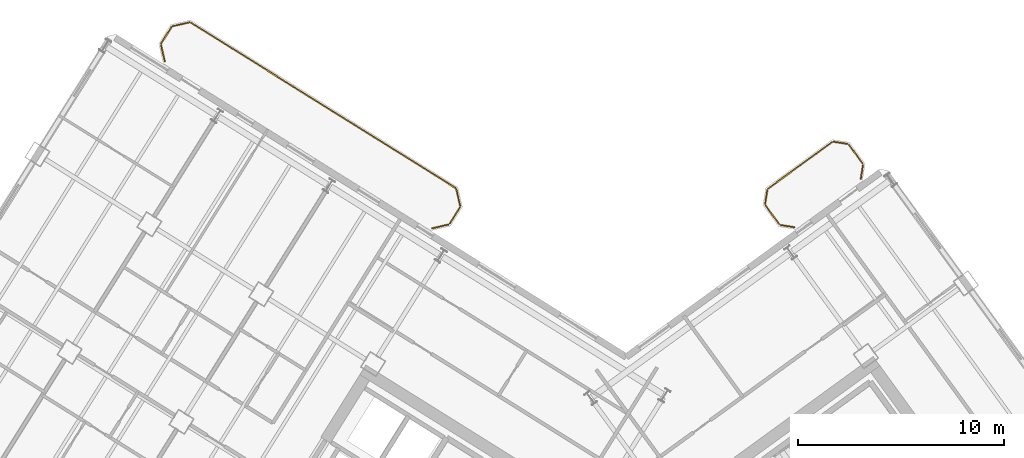
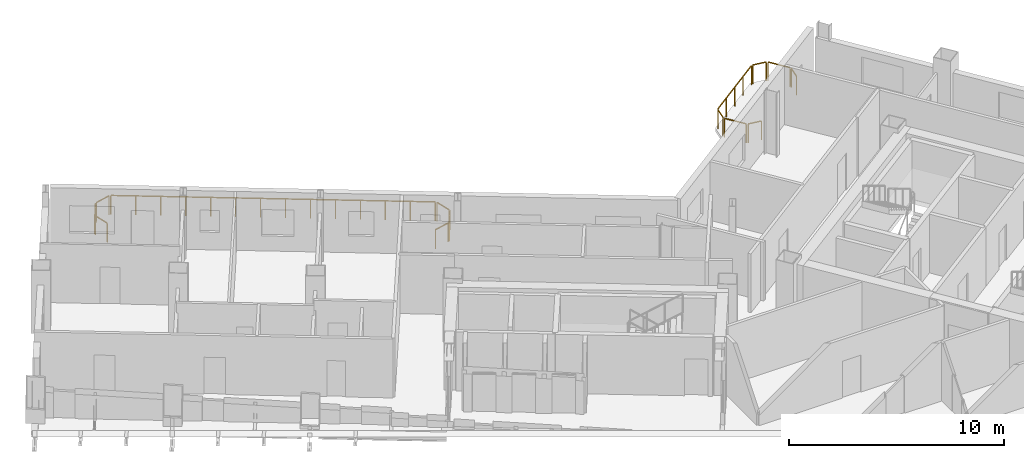
# One storey, part 20 of 20: 14 railings.
"""IFC4 building model written with IfcOpenShell, lengths in metres."""

from ifc_helpers import new_model, si_unit, direction, frame, origin, origin_2d, place, context, subcontext, project, spatial, rectangle, extrude, source, transform, mapped, material, type_object, element, save


model = new_model("IFC4")

# Units and contexts
model_context = context("Model", 3, precision=1e-05, world=origin(), true_north=direction((0.0, 1.0)))
body_context = subcontext(model_context, "Body", "Model", "MODEL_VIEW")
ifc_project = project(units=[si_unit("LENGTHUNIT", "METRE"), si_unit("AREAUNIT", "SQUARE_METRE"), si_unit("VOLUMEUNIT", "CUBIC_METRE"), si_unit("PLANEANGLEUNIT", "RADIAN"), si_unit("MASSUNIT", "GRAM", prefix="KILO")], contexts=[model_context])

# Site, building, storey
site_placement = place(None, origin())
site = spatial("IfcSite", under=ifc_project, at=site_placement, CompositionType="ELEMENT")
building_placement = place(site_placement, origin())
building = spatial("IfcBuilding", under=site, at=building_placement, Name="Tlacorven Tower", CompositionType="ELEMENT")
storey_placement = place(building_placement, frame((0.0, 0.0, 108.89990234375)))
storey = spatial("IfcBuildingStorey", under=building, at=storey_placement, Name="L27", CompositionType="ELEMENT", Elevation=108.89990234375)

# Railings
ifc_material = material(Name="Aluminium and painted steel balustrade", Category="steel")
railing_type = type_object("IfcRailingType", Name="RL-BAL-1100", PredefinedType="BALUSTRADE", material=ifc_material)
shared_shape_1 = source(origin(), body_context, "Body", "SweptSolid", [
    extrude(rectangle(XDim=0.048095703125, YDim=0.048095703125, at=origin_2d()), frame((0.0, 0.0, 1.076171875), z_axis=(0.974345290916, 0.225058334816, 0.0), x_axis=(-0.225058334816, 0.974345290916, 0.0)), (0.0, 0.0, 1.0), 0.80712890625),
    extrude(rectangle(XDim=0.0419921875, YDim=0.0419921875, at=origin_2d()), origin(), (0.0, 0.0, 1.0), 1.052001953125),
    extrude(rectangle(XDim=0.0419921875, YDim=0.0419921875, at=origin_2d()), frame((0.786376953125, 0.181640625, 0.0)), (0.0, 0.0, 1.0), 1.052001953125),
])
railing_1_placement = place(storey_placement, frame((20.2138671875, 47.643798828125, 0.0)))
element("IfcRailing", 1, at=railing_1_placement, inside=storey, type_object=railing_type, Name="BAL-L27-W-IN Guard Railing 6", PredefinedType="BALUSTRADE", context=body_context, shape_type="MappedRepresentation", body=[
    mapped(shared_shape_1, transform((0.0, 0.0, 0.0), scale=1.0)),
])
shared_shape_2 = source(origin(), body_context, "Body", "SweptSolid", [
    extrude(rectangle(XDim=0.048095703125, YDim=0.048095703125, at=origin_2d()), frame((0.0, 0.0, 1.076171875), z_axis=(-0.987661653326, 0.156602868908, 0.0), x_axis=(-0.156602868908, -0.987661653326, 0.0)), (0.0, 0.0, 1.0), 0.665771484375),
    extrude(rectangle(XDim=0.0419921875, YDim=0.0419921875, at=origin_2d()), origin(), (0.0, 0.0, 1.0), 1.052001953125),
    extrude(rectangle(XDim=0.0419921875, YDim=0.0419921875, at=origin_2d()), frame((-0.657470703125, 0.104248046875, 0.0)), (0.0, 0.0, 1.0), 1.052001953125),
])
railing_2_placement = place(storey_placement, frame((50.359130859375, 37.891845703125, 0.0)))
element("IfcRailing", 2, at=railing_2_placement, inside=storey, type_object=railing_type, Name="BAL-L27-E-IN Guard Railing 1", PredefinedType="BALUSTRADE", context=body_context, shape_type="MappedRepresentation", body=[
    mapped(shared_shape_2, transform((0.0, 0.0, 0.0), scale=1.0)),
])
shared_shape_3 = source(origin(), body_context, "Body", "SweptSolid", [
    extrude(rectangle(XDim=0.048095703125, YDim=0.048095703125, at=origin_2d()), frame((0.0, 0.0, 1.076171875), z_axis=(0.156602868908, 0.987661653326, 0.0), x_axis=(-0.987661653326, 0.156602868908, 0.0)), (0.0, 0.0, 1.0), 0.665771484375),
    extrude(rectangle(XDim=0.0419921875, YDim=0.0419921875, at=origin_2d()), origin(), (0.0, 0.0, 1.0), 1.052001953125),
    extrude(rectangle(XDim=0.0419921875, YDim=0.0419921875, at=origin_2d()), frame((0.104248046875, 0.657470703125, 0.0)), (0.0, 0.0, 1.0), 1.052001953125),
])
railing_3_placement = place(storey_placement, frame((48.947509765625, 39.033935546875, 0.0)))
element("IfcRailing", 3, at=railing_3_placement, inside=storey, type_object=railing_type, Name="BAL-L27-E-IN Guard Railing 3", PredefinedType="BALUSTRADE", context=body_context, shape_type="MappedRepresentation", body=[
    mapped(shared_shape_3, transform((0.0, 0.0, 0.0), scale=1.0)),
])
shared_shape_4 = source(origin(), body_context, "Body", "SweptSolid", [
    extrude(rectangle(XDim=0.048095703125, YDim=0.048095703125, at=origin_2d()), frame((0.0, 0.0, 1.076171875), z_axis=(-0.156245081039, -0.987718317463, 0.0), x_axis=(0.987718317463, -0.156245081039, 0.0)), (0.0, 0.0, 1.0), 0.66552734375),
    extrude(rectangle(XDim=0.0419921875, YDim=0.0419921875, at=origin_2d()), origin(), (0.0, 0.0, 1.0), 1.052001953125),
    extrude(rectangle(XDim=0.0419921875, YDim=0.0419921875, at=origin_2d()), frame((-0.10400390625, -0.657470703125, 0.0)), (0.0, 0.0, 1.0), 1.052001953125),
])
railing_4_placement = place(storey_placement, frame((53.689453125, 40.893310546875, 0.0)))
element("IfcRailing", 4, at=railing_4_placement, inside=storey, type_object=railing_type, Name="BAL-L27-E-IN Guard Railing 7", PredefinedType="BALUSTRADE", context=body_context, shape_type="MappedRepresentation", body=[
    mapped(shared_shape_4, transform((0.0, 0.0, 0.0), scale=1.0)),
])
shared_shape_5 = source(origin(), body_context, "Body", "SweptSolid", [
    extrude(rectangle(XDim=0.048095703125, YDim=0.048095703125, at=origin_2d()), frame((0.0, 0.0, 1.076171875), z_axis=(0.529998940003, 0.847998304005, 0.0), x_axis=(-0.847998304005, 0.529998940003, 0.0)), (0.0, 0.0, 1.0), 0.912109375),
    extrude(rectangle(XDim=0.0419921875, YDim=0.0419921875, at=origin_2d()), origin(), (0.0, 0.0, 1.0), 1.052001953125),
    extrude(rectangle(XDim=0.0419921875, YDim=0.0419921875, at=origin_2d()), frame((0.4833984375, 0.7734375, 0.0)), (0.0, 0.0, 1.0), 1.052001953125),
])
railing_5_placement = place(storey_placement, frame((19.6552734375, 46.816650390625, 0.0)))
element("IfcRailing", 5, at=railing_5_placement, inside=storey, type_object=railing_type, Name="BAL-L27-W-IN Guard Railing 5", PredefinedType="BALUSTRADE", context=body_context, shape_type="MappedRepresentation", body=[
    mapped(shared_shape_5, transform((0.0, 0.0, 0.0), scale=1.0)),
])
shared_shape_6 = source(origin(), body_context, "Body", "SweptSolid", [
    extrude(rectangle(XDim=0.048095703125, YDim=0.048095703125, at=origin_2d()), frame((0.0, 0.0, 1.076171875), z_axis=(0.224992020761, -0.974360606036, 0.0), x_axis=(0.974360606036, 0.224992020761, 0.0)), (0.0, 0.0, 1.0), 0.807373046875),
    extrude(rectangle(XDim=0.0419921875, YDim=0.0419921875, at=origin_2d()), origin(), (0.0, 0.0, 1.0), 1.052001953125),
    extrude(rectangle(XDim=0.0419921875, YDim=0.0419921875, at=origin_2d()), frame((0.181640625, -0.78662109375, 0.0)), (0.0, 0.0, 1.0), 1.052001953125),
])
railing_6_placement = place(storey_placement, frame((33.965087890625, 39.72412109375, 0.0)))
element("IfcRailing", 6, at=railing_6_placement, inside=storey, type_object=railing_type, Name="BAL-L27-W-IN Guard Railing 1", PredefinedType="BALUSTRADE", context=body_context, shape_type="MappedRepresentation", body=[
    mapped(shared_shape_6, transform((0.0, 0.0, 0.0), scale=1.0)),
])
shared_shape_7 = source(origin(), body_context, "Body", "SweptSolid", [
    extrude(rectangle(XDim=0.048095703125, YDim=0.048095703125, at=origin_2d()), frame((0.0, 0.0, 1.076171875), z_axis=(-0.529998940003, -0.847998304005, 0.0), x_axis=(0.847998304005, -0.529998940003, 0.0)), (0.0, 0.0, 1.0), 0.912109375),
    extrude(rectangle(XDim=0.0419921875, YDim=0.0419921875, at=origin_2d()), origin(), (0.0, 0.0, 1.0), 1.052001953125),
    extrude(rectangle(XDim=0.0419921875, YDim=0.0419921875, at=origin_2d()), frame((-0.4833984375, -0.7734375, 0.0)), (0.0, 0.0, 1.0), 1.052001953125),
])
railing_7_placement = place(storey_placement, frame((34.131591796875, 38.846435546875, 0.0)))
element("IfcRailing", 7, at=railing_7_placement, inside=storey, type_object=railing_type, Name="BAL-L27-W-IN Guard Railing 2", PredefinedType="BALUSTRADE", context=body_context, shape_type="MappedRepresentation", body=[
    mapped(shared_shape_7, transform((0.0, 0.0, 0.0), scale=1.0)),
])
shared_shape_8 = source(origin(), body_context, "Body", "SweptSolid", [
    extrude(rectangle(XDim=0.048095703125, YDim=0.048095703125, at=origin_2d()), frame((0.0, 0.0, 1.076171875), z_axis=(-0.974360606036, -0.224992020761, 0.0), x_axis=(0.224992020761, -0.974360606036, 0.0)), (0.0, 0.0, 1.0), 0.807373046875),
    extrude(rectangle(XDim=0.0419921875, YDim=0.0419921875, at=origin_2d()), origin(), (0.0, 0.0, 1.0), 1.052001953125),
    extrude(rectangle(XDim=0.0419921875, YDim=0.0419921875, at=origin_2d()), frame((-0.78662109375, -0.181640625, 0.0)), (0.0, 0.0, 1.0), 1.052001953125),
])
railing_8_placement = place(storey_placement, frame((33.572998046875, 38.019287109375, 0.0)))
element("IfcRailing", 8, at=railing_8_placement, inside=storey, type_object=railing_type, Name="BAL-L27-W-IN Guard Railing 3", PredefinedType="BALUSTRADE", context=body_context, shape_type="MappedRepresentation", body=[
    mapped(shared_shape_8, transform((0.0, 0.0, 0.0), scale=1.0)),
])
shared_shape_9 = source(origin(), body_context, "Body", "SweptSolid", [
    extrude(rectangle(XDim=0.048095703125, YDim=0.048095703125, at=origin_2d()), frame((0.0, 0.0, 1.076171875), z_axis=(-0.22470489119, 0.974426863277, 0.0), x_axis=(-0.974426863277, -0.22470489119, 0.0)), (0.0, 0.0, 1.0), 0.807373046875),
    extrude(rectangle(XDim=0.0419921875, YDim=0.0419921875, at=origin_2d()), origin(), (0.0, 0.0, 1.0), 1.052001953125),
    extrude(rectangle(XDim=0.0419921875, YDim=0.0419921875, at=origin_2d()), frame((-0.181396484375, 0.78662109375, 0.0)), (0.0, 0.0, 1.0), 1.052001953125),
])
railing_9_placement = place(storey_placement, frame((19.821533203125, 45.93896484375, 0.0)))
element("IfcRailing", 9, at=railing_9_placement, inside=storey, type_object=railing_type, Name="BAL-L27-W-IN Guard Railing 4", PredefinedType="BALUSTRADE", context=body_context, shape_type="MappedRepresentation", body=[
    mapped(shared_shape_9, transform((0.0, 0.0, 0.0), scale=1.0)),
])
shared_shape_10 = source(origin(), body_context, "Body", "SweptSolid", [
    extrude(rectangle(XDim=0.048095703125, YDim=0.048095703125, at=origin_2d()), frame((0.0, 0.0, 1.076171875), z_axis=(0.848051830527, -0.529913287944, 0.0), x_axis=(0.529913287944, 0.848051830527, 0.0)), (0.0, 0.0, 1.0), 15.1171875),
    extrude(rectangle(XDim=0.0419921875, YDim=0.0419921875, at=origin_2d()), origin(), (0.0, 0.0, 1.0), 1.052001953125),
    extrude(rectangle(XDim=0.0419921875, YDim=0.0419921875, at=origin_2d()), frame((0.986083984375, -0.6162109375, 0.0)), (0.0, 0.0, 1.0), 1.052001953125),
    extrude(rectangle(XDim=0.0419921875, YDim=0.0419921875, at=origin_2d()), frame((1.972412109375, -1.232421875, 0.0)), (0.0, 0.0, 1.0), 1.052001953125),
    extrude(rectangle(XDim=0.0419921875, YDim=0.0419921875, at=origin_2d()), frame((2.95849609375, -1.8486328125, 0.0)), (0.0, 0.0, 1.0), 1.052001953125),
    extrude(rectangle(XDim=0.0419921875, YDim=0.0419921875, at=origin_2d()), frame((3.944580078125, -2.46484375, 0.0)), (0.0, 0.0, 1.0), 1.052001953125),
    extrude(rectangle(XDim=0.0419921875, YDim=0.0419921875, at=origin_2d()), frame((4.930908203125, -3.0810546875, 0.0)), (0.0, 0.0, 1.0), 1.052001953125),
    extrude(rectangle(XDim=0.0419921875, YDim=0.0419921875, at=origin_2d()), frame((5.9169921875, -3.697265625, 0.0)), (0.0, 0.0, 1.0), 1.052001953125),
    extrude(rectangle(XDim=0.0419921875, YDim=0.0419921875, at=origin_2d()), frame((6.903076171875, -4.3134765625, 0.0)), (0.0, 0.0, 1.0), 1.052001953125),
    extrude(rectangle(XDim=0.0419921875, YDim=0.0419921875, at=origin_2d()), frame((7.88916015625, -4.9296875, 0.0)), (0.0, 0.0, 1.0), 1.052001953125),
    extrude(rectangle(XDim=0.0419921875, YDim=0.0419921875, at=origin_2d()), frame((8.87548828125, -5.5458984375, 0.0)), (0.0, 0.0, 1.0), 1.052001953125),
    extrude(rectangle(XDim=0.0419921875, YDim=0.0419921875, at=origin_2d()), frame((9.861572265625, -6.162109375, 0.0)), (0.0, 0.0, 1.0), 1.052001953125),
    extrude(rectangle(XDim=0.0419921875, YDim=0.0419921875, at=origin_2d()), frame((10.84765625, -6.7783203125, 0.0)), (0.0, 0.0, 1.0), 1.052001953125),
    extrude(rectangle(XDim=0.0419921875, YDim=0.0419921875, at=origin_2d()), frame((11.833984375, -7.39453125, 0.0)), (0.0, 0.0, 1.0), 1.052001953125),
    extrude(rectangle(XDim=0.0419921875, YDim=0.0419921875, at=origin_2d()), frame((12.820068359375, -8.0107421875, 0.0)), (0.0, 0.0, 1.0), 1.052001953125),
])
railing_10_placement = place(storey_placement, frame((21.091552734375, 47.81005859375, 0.0)))
element("IfcRailing", 10, at=railing_10_placement, inside=storey, type_object=railing_type, Name="BAL-L27-W-IN Guard Railing 7", PredefinedType="BALUSTRADE", context=body_context, shape_type="MappedRepresentation", body=[
    mapped(shared_shape_10, transform((0.0, 0.0, 0.0), scale=1.0)),
])
shared_shape_11 = source(origin(), body_context, "Body", "SweptSolid", [
    extrude(rectangle(XDim=0.048095703125, YDim=0.048095703125, at=origin_2d()), frame((0.0, 0.0, 1.076171875), z_axis=(-0.587636431696, 0.809125097957, 0.0), x_axis=(-0.809125097957, -0.587636431696, 0.0)), (0.0, 0.0, 1.0), 1.1123046875),
    extrude(rectangle(XDim=0.0419921875, YDim=0.0419921875, at=origin_2d()), origin(), (0.0, 0.0, 1.0), 1.052001953125),
    extrude(rectangle(XDim=0.0419921875, YDim=0.0419921875, at=origin_2d()), frame((-0.653564453125, 0.89990234375, 0.0)), (0.0, 0.0, 1.0), 1.052001953125),
])
railing_11_placement = place(storey_placement, frame((49.622802734375, 38.044189453125, 0.0)))
element("IfcRailing", 11, at=railing_11_placement, inside=storey, type_object=railing_type, Name="BAL-L27-E-IN Guard Railing 2", PredefinedType="BALUSTRADE", context=body_context, shape_type="MappedRepresentation", body=[
    mapped(shared_shape_11, transform((0.0, 0.0, 0.0), scale=1.0)),
])
shared_shape_12 = source(origin(), body_context, "Body", "SweptSolid", [
    extrude(rectangle(XDim=0.048095703125, YDim=0.048095703125, at=origin_2d()), frame((0.0, 0.0, 1.076171875), z_axis=(0.809018102573, 0.587783726986, 0.0), x_axis=(-0.587783726986, 0.809018102573, 0.0)), (0.0, 0.0, 1.0), 3.817138671875),
    extrude(rectangle(XDim=0.0419921875, YDim=0.0419921875, at=origin_2d()), origin(), (0.0, 0.0, 1.0), 1.052001953125),
    extrude(rectangle(XDim=0.0419921875, YDim=0.0419921875, at=origin_2d()), frame((0.77197265625, 0.56103515625, 0.0)), (0.0, 0.0, 1.0), 1.052001953125),
    extrude(rectangle(XDim=0.0419921875, YDim=0.0419921875, at=origin_2d()), frame((1.5439453125, 1.121826171875, 0.0)), (0.0, 0.0, 1.0), 1.052001953125),
    extrude(rectangle(XDim=0.0419921875, YDim=0.0419921875, at=origin_2d()), frame((2.316162109375, 1.6826171875, 0.0)), (0.0, 0.0, 1.0), 1.052001953125),
    extrude(rectangle(XDim=0.0419921875, YDim=0.0419921875, at=origin_2d()), frame((3.088134765625, 2.24365234375, 0.0)), (0.0, 0.0, 1.0), 1.052001953125),
])
railing_12_placement = place(storey_placement, frame((49.10009765625, 39.77001953125, 0.0)))
element("IfcRailing", 12, at=railing_12_placement, inside=storey, type_object=railing_type, Name="BAL-L27-E-IN Guard Railing 4", PredefinedType="BALUSTRADE", context=body_context, shape_type="MappedRepresentation", body=[
    mapped(shared_shape_12, transform((0.0, 0.0, 0.0), scale=1.0)),
])
shared_shape_13 = source(origin(), body_context, "Body", "SweptSolid", [
    extrude(rectangle(XDim=0.048095703125, YDim=0.048095703125, at=origin_2d()), frame((0.0, 0.0, 1.076171875), z_axis=(0.987661653326, -0.156602868908, 0.0), x_axis=(0.156602868908, 0.987661653326, 0.0)), (0.0, 0.0, 1.0), 0.665771484375),
    extrude(rectangle(XDim=0.0419921875, YDim=0.0419921875, at=origin_2d()), origin(), (0.0, 0.0, 1.0), 1.052001953125),
    extrude(rectangle(XDim=0.0419921875, YDim=0.0419921875, at=origin_2d()), frame((0.657470703125, -0.104248046875, 0.0)), (0.0, 0.0, 1.0), 1.052001953125),
])
railing_13_placement = place(storey_placement, frame((52.278076171875, 42.035400390625, 0.0)))
element("IfcRailing", 13, at=railing_13_placement, inside=storey, type_object=railing_type, Name="BAL-L27-E-IN Guard Railing 5", PredefinedType="BALUSTRADE", context=body_context, shape_type="MappedRepresentation", body=[
    mapped(shared_shape_13, transform((0.0, 0.0, 0.0), scale=1.0)),
])
shared_shape_14 = source(origin(), body_context, "Body", "SweptSolid", [
    extrude(rectangle(XDim=0.048095703125, YDim=0.048095703125, at=origin_2d()), frame((0.0, 0.0, 1.076171875), z_axis=(0.587780115446, -0.809020726488, 0.0), x_axis=(0.809020726488, 0.587780115446, 0.0)), (0.0, 0.0, 1.0), 1.1123046875),
    extrude(rectangle(XDim=0.0419921875, YDim=0.0419921875, at=origin_2d()), origin(), (0.0, 0.0, 1.0), 1.052001953125),
    extrude(rectangle(XDim=0.0419921875, YDim=0.0419921875, at=origin_2d()), frame((0.65380859375, -0.89990234375, 0.0)), (0.0, 0.0, 1.0), 1.052001953125),
])
railing_14_placement = place(storey_placement, frame((53.01416015625, 41.883056640625, 0.0)))
element("IfcRailing", 14, at=railing_14_placement, inside=storey, type_object=railing_type, Name="BAL-L27-E-IN Guard Railing 6", PredefinedType="BALUSTRADE", context=body_context, shape_type="MappedRepresentation", body=[
    mapped(shared_shape_14, transform((0.0, 0.0, 0.0), scale=1.0)),
])

save(model, "model.ifc")
